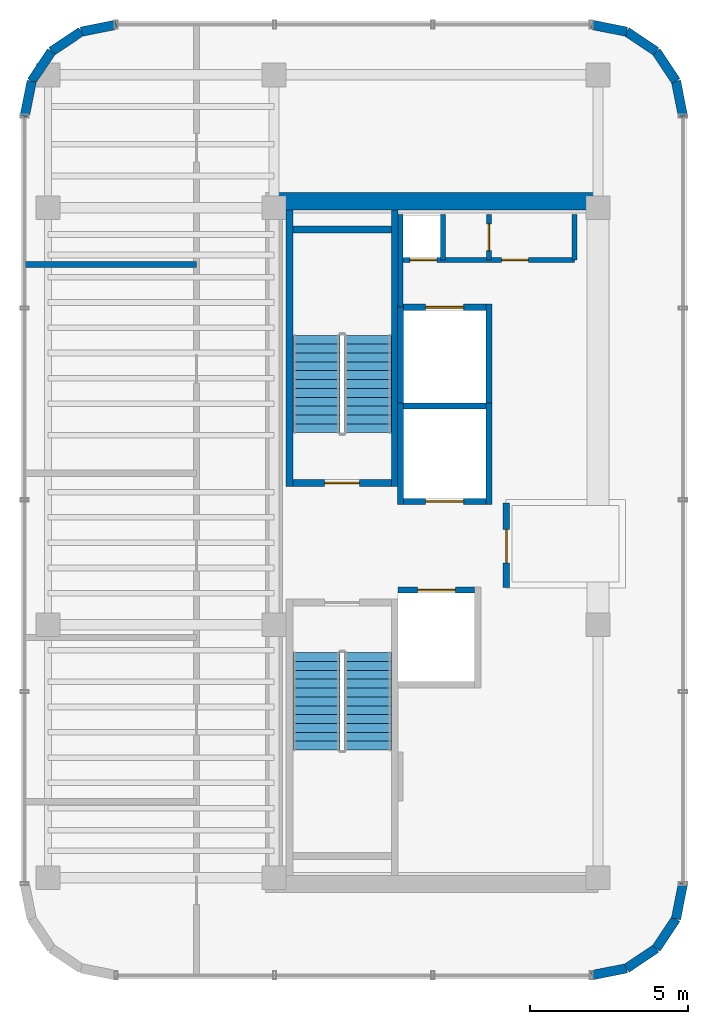
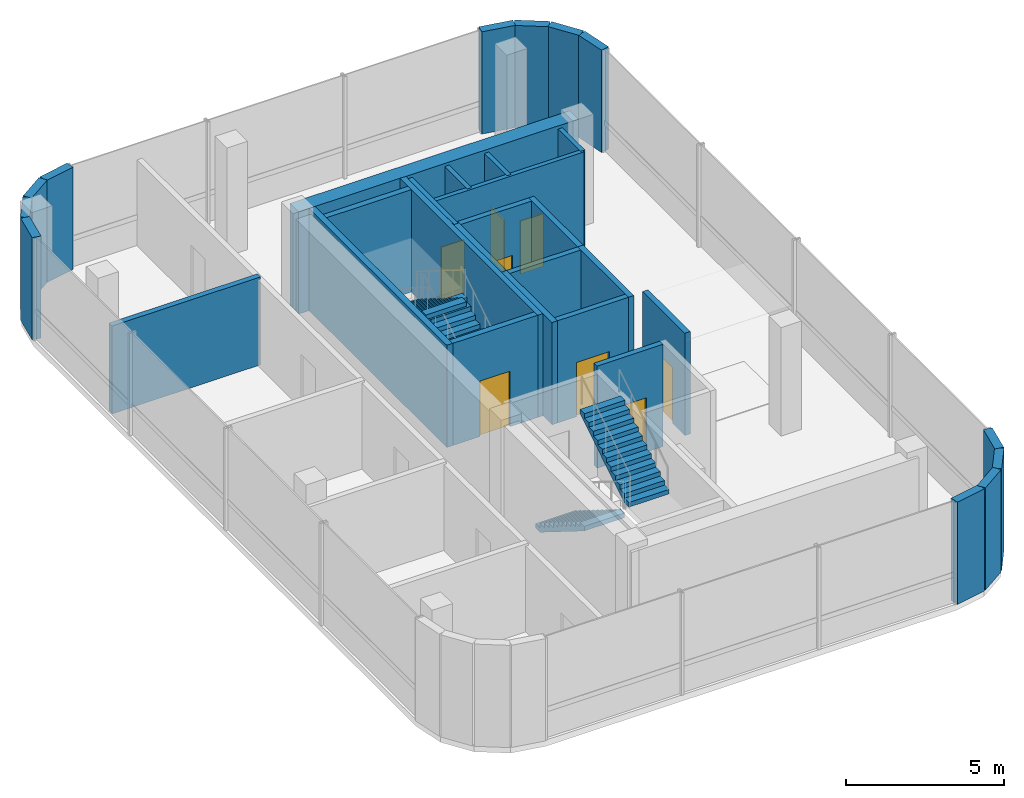
# One storey, part 10 of 11: 32 walls, 8 doors, 4 stair flights, 8 openings, 2 elements without a shape of their own.
"""IFC4 building model written with IfcOpenShell, lengths in metres."""

from ifc_helpers import new_model, si_unit, direction, frame, frame_2d, origin, place, context, subcontext, project, spatial, polyline, rectangle, outline, extrude, material, layer, layer_set, type_object, element, fill, aggregate, save


model = new_model("IFC4")

# Units and contexts
model_context = context("Model", 3, precision=1e-05, world=origin(), true_north=direction((0.0, 1.0)))
body_context = subcontext(model_context, "Body", "Model", "MODEL_VIEW")
ifc_project = project(units=[si_unit("LENGTHUNIT", "METRE"), si_unit("AREAUNIT", "SQUARE_METRE"), si_unit("VOLUMEUNIT", "CUBIC_METRE"), si_unit("PLANEANGLEUNIT", "RADIAN"), si_unit("MASSUNIT", "GRAM", prefix="KILO")], contexts=[model_context])

# Site, building, storey
site_placement = place(None, origin())
site = spatial("IfcSite", under=ifc_project, at=site_placement, CompositionType="ELEMENT")
building_placement = place(site_placement, origin())
building = spatial("IfcBuilding", under=site, at=building_placement, Name="Valdorenza Pilgrim Sanctuary Tower", CompositionType="ELEMENT")
storey_placement = place(building_placement, frame((0.0, 0.0, 299.39990234375)))
storey = spatial("IfcBuildingStorey", under=building, at=storey_placement, Name="L78", CompositionType="ELEMENT", Elevation=299.39990234375)

# Wall
ifc_material_1 = material(Name="Acoustic twin-stud gypsum partition", Category="gypsum")
ifc_layer_1 = layer(ifc_material_1, 0.159912109375, Name="Acoustic twin-stud gypsum partition")
ifc_layer_set_1 = layer_set([ifc_layer_1], Name="Acoustic twin-stud gypsum partition")
wall_type_1 = type_object("IfcWallType", Name="WAL-COR-160", PredefinedType="PARTITIONING", material=ifc_layer_set_1)
wall_1_placement = place(storey_placement, frame((-18.64990234375, 7.449951171875, 0.0), z_axis=(0.0, 0.0, 1.0), x_axis=(0.0, 1.0, 0.0)))
element("IfcWall", 1, at=wall_1_placement, inside=storey, type_object=wall_type_1, Name="L78 Core A North Service West Wall", PredefinedType="PARTITIONING", context=body_context, shape_type="SweptSolid", body=[
    extrude(rectangle(XDim=2.929931640625, YDim=0.159912109375, at=frame_2d((1.46484375, 0.0))), origin(), (0.0, 0.0, 1.0), 3.960205078125),
])

# Wall, openings, doors
wall_2_placement = place(storey_placement, frame((-18.64990234375, 8.949951171875, 0.0), z_axis=(0.0, 0.0, 1.0), x_axis=(1.0, 0.0, 0.0)))
wall_2 = element("IfcWall", 2, at=wall_2_placement, inside=storey, type_object=wall_type_1, Name="L78 Core A North Service South Wall", PredefinedType="PARTITIONING", context=body_context, shape_type="SweptSolid", body=[
    extrude(rectangle(XDim=5.5, YDim=0.159912109375, at=frame_2d((2.75, 0.0))), origin(), (0.0, 0.0, 1.0), 3.960205078125),
])
opening_1_placement = place(wall_2_placement, frame((0.300048828125, 0.0, 0.0)))
opening_1 = element("IfcOpeningElement", 3, at=opening_1_placement, cuts=wall_2, Name="Opening DR-RS1", PredefinedType="OPENING", context=body_context, shape_type="SweptSolid", body=[
    extrude(rectangle(XDim=0.85009765625, YDim=2.050048828125, at=frame_2d((0.425048828125, 1.02490234375))), frame((0.0, 0.0947265625, 0.0), z_axis=(0.0, -1.0, 0.0), x_axis=(1.0, 0.0, 0.0)), (0.0, 0.0, 1.0), 0.189697265625),
])
opening_2_placement = place(wall_2_placement, frame((3.199951171875, 0.0, 0.0)))
opening_2 = element("IfcOpeningElement", 4, at=opening_2_placement, cuts=wall_2, Name="Opening DR-RS1", PredefinedType="OPENING", context=body_context, shape_type="SweptSolid", body=[
    extrude(rectangle(XDim=0.85009765625, YDim=2.050048828125, at=frame_2d((0.425048828125, 1.02490234375))), frame((0.0, 0.0947265625, 0.0), z_axis=(0.0, -1.0, 0.0), x_axis=(1.0, 0.0, 0.0)), (0.0, 0.0, 1.0), 0.189697265625),
])
ifc_material_2 = material(Name="Painted galvanized steel", Category="steel")
door_type_1 = type_object("IfcDoorType", Name="DR-RSR-850", OperationType="NOTDEFINED", PredefinedType="DOOR", material=ifc_material_2)
door_1_placement = place(opening_1_placement, origin())
door_1 = element("IfcDoor", 5, at=door_1_placement, inside=storey, type_object=door_type_1, Name="L78 Core Electrical and Telecom Riser Door", OperationType="SINGLE_SWING_LEFT", OverallHeight=2.050048828125, OverallWidth=0.85009765625, PredefinedType="DOOR", context=body_context, shape_type="SweptSolid", body=[
    extrude(rectangle(XDim=0.85009765625, YDim=2.050048828125, at=frame_2d((0.425048828125, 1.02490234375))), frame((0.0, 0.02490234375, 0.0), z_axis=(0.0, -1.0, 0.0), x_axis=(1.0, 0.0, 0.0)), (0.0, 0.0, 1.0), 0.050048828125),
])
fill(opening_1, door_1)
door_2_placement = place(opening_2_placement, origin())
door_2 = element("IfcDoor", 6, at=door_2_placement, inside=storey, type_object=door_type_1, Name="L78 Core Janitor and Maintenance Store Door", OperationType="SINGLE_SWING_RIGHT", OverallHeight=2.050048828125, OverallWidth=0.85009765625, PredefinedType="DOOR", context=body_context, shape_type="SweptSolid", body=[
    extrude(rectangle(XDim=0.85009765625, YDim=2.050048828125, at=frame_2d((0.425048828125, 1.02490234375))), frame((0.0, 0.02490234375, 0.0), z_axis=(0.0, -1.0, 0.0), x_axis=(1.0, 0.0, 0.0)), (0.0, 0.0, 1.0), 0.050048828125),
])
fill(opening_2, door_2)

# Walls
for number, where, z_axis, x_axis, name in (
    (7, (-13.14990234375, 8.949951171875, 0.0), (0.0, 0.0, 1.0), (0.0, 1.0, 0.0), "L78 Core A North Service East Wall"),
    (8, (-17.300048828125, 8.949951171875, 0.0), (0.0, 0.0, 1.0), (0.0, 1.0, 0.0), "L78 Core Electrical Riser Wall"),
):
    element("IfcWall", number, at=place(storey_placement, frame(where, z_axis=z_axis, x_axis=x_axis)), inside=storey, type_object=wall_type_1, Name=name, PredefinedType="PARTITIONING", context=body_context, shape_type="SweptSolid", body=[
        extrude(rectangle(XDim=1.429931640625, YDim=0.159912109375, at=frame_2d((0.71484375, 0.0))), origin(), (0.0, 0.0, 1.0), 3.960205078125),
    ])

# Wall, opening, door
wall_3_placement = place(storey_placement, frame((-15.85009765625, 8.949951171875, 0.0), z_axis=(0.0, 0.0, 1.0), x_axis=(0.0, 1.0, 0.0)))
wall_3 = element("IfcWall", 9, at=wall_3_placement, inside=storey, type_object=wall_type_1, Name="L78 Core A Split C", PredefinedType="PARTITIONING", context=body_context, shape_type="SweptSolid", body=[
    extrude(rectangle(XDim=1.429931640625, YDim=0.159912109375, at=frame_2d((0.71484375, 0.0))), origin(), (0.0, 0.0, 1.0), 3.960205078125),
])
opening_3_placement = place(wall_3_placement, frame((0.2900390625, 0.0, 0.0)))
opening_3 = element("IfcOpeningElement", 10, at=opening_3_placement, cuts=wall_3, Name="Opening DR-RS1", PredefinedType="OPENING", context=body_context, shape_type="SweptSolid", body=[
    extrude(rectangle(XDim=0.85009765625, YDim=2.050048828125, at=frame_2d((0.425048828125, 1.02490234375))), frame((0.0, 0.0947265625, 0.0), z_axis=(0.0, -1.0, 0.0), x_axis=(1.0, 0.0, 0.0)), (0.0, 0.0, 1.0), 0.189697265625),
])
door_3_placement = place(opening_3_placement, origin())
door_3 = element("IfcDoor", 11, at=door_3_placement, inside=storey, type_object=door_type_1, Name="L78 Clean Linen Supply Store Door", OperationType="SINGLE_SWING_LEFT", OverallHeight=2.050048828125, OverallWidth=0.85009765625, PredefinedType="DOOR", context=body_context, shape_type="SweptSolid", body=[
    extrude(rectangle(XDim=0.85009765625, YDim=2.050048828125, at=frame_2d((0.425048828125, 1.02490234375))), frame((0.0, 0.02490234375, 0.0), z_axis=(0.0, -1.0, 0.0), x_axis=(1.0, 0.0, 0.0)), (0.0, 0.0, 1.0), 0.050048828125),
])
fill(opening_3, door_3)

# Walls
ifc_material_3 = material(Name="Concrete C50/60", Category="concrete")
ifc_layer_2 = layer(ifc_material_3, 0.550048828125, Name="Concrete C50/60")
ifc_layer_set_2 = layer_set([ifc_layer_2], Name="Concrete C50/60")
wall_type_2 = type_object("IfcWallType", Name="WAL-COR-550", PredefinedType="SHEAR", material=ifc_layer_set_2)
wall_4_placement = place(storey_placement, frame((-22.64990234375, 10.800048828125, 0.0), z_axis=(0.0, 0.0, 1.0), x_axis=(1.0, 0.0, 0.0)))
element("IfcWall", 12, at=wall_4_placement, inside=storey, type_object=wall_type_2, Name="L78 Split Core A Shear Wall N", PredefinedType="SHEAR", context=body_context, shape_type="SweptSolid", body=[
    extrude(rectangle(XDim=10.25, YDim=0.550048828125, at=frame_2d((5.125, 0.0))), origin(), (0.0, 0.0, 1.0), 3.960205078125),
])
ifc_material_4 = material(Name="Honed travertine limestone", Category="masonry")
ifc_layer_3 = layer(ifc_material_4, 0.300048828125, Name="Honed travertine limestone")
ifc_layer_set_3 = layer_set([ifc_layer_3], Name="Honed travertine limestone")
wall_type_3 = type_object("IfcWallType", Name="WAL-EXT-300", PredefinedType="SOLIDWALL", material=ifc_layer_set_3)
wall_5_placement = place(storey_placement, frame((-30.5400390625, 13.4892578125, 0.0), z_axis=(0.0, 0.0, 1.0), x_axis=(0.195043173023, 0.980794657743, 0.0)))
element("IfcWall", 13, at=wall_5_placement, inside=storey, type_object=wall_type_3, Name="L78 Rounded Wind-Corner Stone Pier 2", PredefinedType="SOLIDWALL", context=body_context, shape_type="SweptSolid", body=[
    extrude(rectangle(XDim=1.137939453125, YDim=0.300048828125, at=frame_2d((0.56884765625, 0.0))), origin(), (0.0, 0.0, 1.0), 3.960205078125),
])
for number, where, z_axis, x_axis, name in (
    (14, (-30.318115234375, 14.605224609375, 0.0), (0.0, 0.0, 1.0), (0.555749754081, 0.831349632128, 0.0), "L78 Rounded Wind-Corner Stone Pier 3"),
    (15, (-29.69189453125, 15.5419921875, 0.0), (0.0, 0.0, 1.0), (0.831449735491, 0.555599979619, 0.0), "L78 Rounded Wind-Corner Stone Pier 4"),
):
    element("IfcWall", number, at=place(storey_placement, frame(where, z_axis=z_axis, x_axis=x_axis)), inside=storey, type_object=wall_type_3, Name=name, PredefinedType="SOLIDWALL", context=body_context, shape_type="SweptSolid", body=[
        extrude(rectangle(XDim=1.126708984375, YDim=0.300048828125, at=frame_2d((0.5634765625, 0.0))), origin(), (0.0, 0.0, 1.0), 3.960205078125),
    ])
for number, where, z_axis, x_axis, name in (
    (16, (-28.755126953125, 16.16796875, 0.0), (0.0, 0.0, 1.0), (0.980794657743, 0.195043173023, 0.0), "L78 Rounded Wind-Corner Stone Pier 5"),
    (17, (-12.61083984375, 16.389892578125, 0.0), (0.0, 0.0, 1.0), (0.980794657743, -0.195043173023, 0.0), "L78 Rounded Wind-Corner Stone Pier 7"),
):
    element("IfcWall", number, at=place(storey_placement, frame(where, z_axis=z_axis, x_axis=x_axis)), inside=storey, type_object=wall_type_3, Name=name, PredefinedType="SOLIDWALL", context=body_context, shape_type="SweptSolid", body=[
        extrude(rectangle(XDim=1.137939453125, YDim=0.300048828125, at=frame_2d((0.56884765625, 0.0))), origin(), (0.0, 0.0, 1.0), 3.960205078125),
    ])
for number, where, z_axis, x_axis, name in (
    (18, (-11.494873046875, 16.16796875, 0.0), (0.0, 0.0, 1.0), (0.831449735491, -0.555599979619, 0.0), "L78 Rounded Wind-Corner Stone Pier 8"),
    (19, (-10.55810546875, 15.5419921875, 0.0), (0.0, 0.0, 1.0), (0.555749754081, -0.831349632128, 0.0), "L78 Rounded Wind-Corner Stone Pier 9"),
):
    element("IfcWall", number, at=place(storey_placement, frame(where, z_axis=z_axis, x_axis=x_axis)), inside=storey, type_object=wall_type_3, Name=name, PredefinedType="SOLIDWALL", context=body_context, shape_type="SweptSolid", body=[
        extrude(rectangle(XDim=1.126708984375, YDim=0.300048828125, at=frame_2d((0.5634765625, 0.0))), origin(), (0.0, 0.0, 1.0), 3.960205078125),
    ])
for number, where, z_axis, x_axis, name in (
    (20, (-9.931884765625, 14.605224609375, 0.0), (0.0, 0.0, 1.0), (0.195043173023, -0.980794657743, 0.0), "L78 Rounded Wind-Corner Stone Pier 10"),
    (21, (-9.7099609375, -10.789306640625, 0.0), (0.0, 0.0, 1.0), (-0.195043173023, -0.980794657743, 0.0), "L78 Rounded Wind-Corner Stone Pier 12"),
):
    element("IfcWall", number, at=place(storey_placement, frame(where, z_axis=z_axis, x_axis=x_axis)), inside=storey, type_object=wall_type_3, Name=name, PredefinedType="SOLIDWALL", context=body_context, shape_type="SweptSolid", body=[
        extrude(rectangle(XDim=1.137939453125, YDim=0.300048828125, at=frame_2d((0.56884765625, 0.0))), origin(), (0.0, 0.0, 1.0), 3.960205078125),
    ])
for number, where, z_axis, x_axis, name in (
    (22, (-9.931884765625, -11.9052734375, 0.0), (0.0, 0.0, 1.0), (-0.555749754081, -0.831349632128, 0.0), "L78 Rounded Wind-Corner Stone Pier 13"),
    (23, (-10.55810546875, -12.842041015625, 0.0), (0.0, 0.0, 1.0), (-0.831449735491, -0.555599979619, 0.0), "L78 Rounded Wind-Corner Stone Pier 14"),
):
    element("IfcWall", number, at=place(storey_placement, frame(where, z_axis=z_axis, x_axis=x_axis)), inside=storey, type_object=wall_type_3, Name=name, PredefinedType="SOLIDWALL", context=body_context, shape_type="SweptSolid", body=[
        extrude(rectangle(XDim=1.126708984375, YDim=0.300048828125, at=frame_2d((0.5634765625, 0.0))), origin(), (0.0, 0.0, 1.0), 3.960205078125),
    ])
wall_6_placement = place(storey_placement, frame((-11.494873046875, -13.468017578125, 0.0), z_axis=(0.0, 0.0, 1.0), x_axis=(-0.980794657743, -0.195043173023, 0.0)))
element("IfcWall", 24, at=wall_6_placement, inside=storey, type_object=wall_type_3, Name="L78 Rounded Wind-Corner Stone Pier 15", PredefinedType="SOLIDWALL", context=body_context, shape_type="SweptSolid", body=[
    extrude(rectangle(XDim=1.137939453125, YDim=0.300048828125, at=frame_2d((0.56884765625, 0.0))), origin(), (0.0, 0.0, 1.0), 3.960205078125),
])

# Wall, opening, door
ifc_material_5 = material(Name="Gypsum shaftwall partition", Category="gypsum")
ifc_layer_4 = layer(ifc_material_5, 0.199951171875, Name="Gypsum shaftwall partition")
ifc_layer_set_4 = layer_set([ifc_layer_4], Name="Gypsum shaftwall partition")
wall_type_4 = type_object("IfcWallType", Name="WAL-FFL-200", PredefinedType="PARTITIONING", material=ifc_layer_set_4)
wall_7_placement = place(storey_placement, frame((-15.300048828125, -1.419921875, 0.0), z_axis=(0.0, 0.0, 1.0), x_axis=(0.0, 1.0, 0.0)))
wall_7 = element("IfcWall", 25, at=wall_7_placement, inside=storey, type_object=wall_type_4, Name="L78 Core A Firefighting Lobby East Wall", PredefinedType="PARTITIONING", context=body_context, shape_type="SweptSolid", body=[
    extrude(rectangle(XDim=2.669921875, YDim=0.199951171875, at=frame_2d((1.3349609375, 0.0))), origin(), (0.0, 0.0, 1.0), 3.960205078125),
])
opening_4_placement = place(wall_7_placement, frame((0.780029296875, 0.0, 0.0)))
opening_4 = element("IfcOpeningElement", 26, at=opening_4_placement, cuts=wall_7, Name="Opening DR-FL1", PredefinedType="OPENING", context=body_context, shape_type="SweptSolid", body=[
    extrude(rectangle(XDim=1.050048828125, YDim=2.14990234375, at=frame_2d((0.52490234375, 1.074951171875))), frame((0.0, 0.11474609375, 0.0), z_axis=(0.0, -1.0, 0.0), x_axis=(1.0, 0.0, 0.0)), (0.0, 0.0, 1.0), 0.229736328125),
])
door_type_2 = type_object("IfcDoorType", Name="DR-FFL-1050", OperationType="NOTDEFINED", PredefinedType="DOOR", material=ifc_material_2)
door_4_placement = place(opening_4_placement, origin())
door_4 = element("IfcDoor", 27, at=door_4_placement, inside=storey, type_object=door_type_2, Name="L78 Core A Firefighting Lobby Door", OperationType="SINGLE_SWING_RIGHT", OverallHeight=2.14990234375, OverallWidth=1.050048828125, PredefinedType="DOOR", context=body_context, shape_type="SweptSolid", body=[
    extrude(rectangle(XDim=1.050048828125, YDim=2.14990234375, at=frame_2d((0.52490234375, 1.074951171875))), frame((0.0, 0.02490234375, 0.0), z_axis=(0.0, -1.0, 0.0), x_axis=(1.0, 0.0, 0.0)), (0.0, 0.0, 1.0), 0.050048828125),
])
fill(opening_4, door_4)

# Walls
wall_8_placement = place(storey_placement, frame((-30.5400390625, 8.800048828125, 0.0), z_axis=(0.0, 0.0, 1.0), x_axis=(1.0, 0.0, 0.0)))
element("IfcWall", 28, at=wall_8_placement, inside=storey, type_object=wall_type_4, Name="L78 L78 Plant Compartment Wall 4", PredefinedType="PARTITIONING", context=body_context, shape_type="SweptSolid", body=[
    extrude(rectangle(XDim=5.43994140625, YDim=0.199951171875, at=frame_2d((2.719970703125, 0.0))), origin(), (0.0, 0.0, 1.0), 3.406005859375),
])
ifc_material_6 = material(Name="Autoclaved aerated concrete blockwork", Category="masonry")
ifc_layer_5 = layer(ifc_material_6, 0.199951171875, Name="Autoclaved aerated concrete blockwork")
ifc_layer_set_5 = layer_set([ifc_layer_5], Name="Autoclaved aerated concrete blockwork")
wall_type_5 = type_object("IfcWallType", Name="WAL-SHF-200", PredefinedType="MOVABLE", material=ifc_layer_set_5)
for number, where, z_axis, x_axis, name in (
    (29, (-18.64990234375, 1.199951171875, 0.0), (0.0, 0.0, 1.0), (0.0, 1.0, 0.0), "L78 Lift FFL-01 Hoistway Wall West"),
    (30, (-15.85009765625, 1.199951171875, 0.0), (0.0, 0.0, 1.0), (0.0, 1.0, 0.0), "L78 Lift FFL-01 Hoistway Wall East"),
):
    element("IfcWall", number, at=place(storey_placement, frame(where, z_axis=z_axis, x_axis=x_axis)), inside=storey, type_object=wall_type_5, Name=name, PredefinedType="MOVABLE", context=body_context, shape_type="SweptSolid", body=[
        extrude(rectangle(XDim=3.22509765625, YDim=0.199951171875, at=frame_2d((1.612548828125, 0.0))), origin(), (0.0, 0.0, 1.0), 3.960205078125),
    ])

# Wall, opening, door
wall_9_placement = place(storey_placement, frame((-18.550048828125, 1.300048828125, 0.0), z_axis=(0.0, 0.0, 1.0), x_axis=(1.0, 0.0, 0.0)))
wall_9 = element("IfcWall", 31, at=wall_9_placement, inside=storey, type_object=wall_type_5, Name="L78 Lift FFL-01 Hoistway Wall South", PredefinedType="MOVABLE", context=body_context, shape_type="SweptSolid", body=[
    extrude(rectangle(XDim=2.60009765625, YDim=0.199951171875, at=frame_2d((1.300048828125, 0.0))), origin(), (0.0, 0.0, 1.0), 3.960205078125),
])
opening_5_placement = place(wall_9_placement, frame((0.699951171875, 0.0, 0.0)))
opening_5 = element("IfcOpeningElement", 32, at=opening_5_placement, cuts=wall_9, Name="Opening LD-02", PredefinedType="OPENING", context=body_context, shape_type="SweptSolid", body=[
    extrude(rectangle(XDim=1.199951171875, YDim=2.10009765625, at=frame_2d((0.60009765625, 1.050048828125))), frame((0.0, 0.11474609375, 0.0), z_axis=(0.0, -1.0, 0.0), x_axis=(1.0, 0.0, 0.0)), (0.0, 0.0, 1.0), 0.229736328125),
])
ifc_material_7 = material(Name="Brushed stainless steel Grade 316", Category="steel")
door_type_3 = type_object("IfcDoorType", Name="DR-LFT-1200", OperationType="DOUBLE_DOOR_SLIDING", PredefinedType="DOOR", material=ifc_material_7)
door_5_placement = place(opening_5_placement, origin())
door_5 = element("IfcDoor", 33, at=door_5_placement, inside=storey, type_object=door_type_3, Name="L78 Lift FFL-01 Sliding Landing Door", OperationType="DOUBLE_DOOR_SLIDING", OverallHeight=2.10009765625, OverallWidth=1.199951171875, PredefinedType="DOOR", context=body_context, shape_type="SweptSolid", body=[
    extrude(rectangle(XDim=1.199951171875, YDim=2.10009765625, at=frame_2d((0.60009765625, 1.050048828125))), frame((0.0, 0.02490234375, 0.0), z_axis=(0.0, -1.0, 0.0), x_axis=(1.0, 0.0, 0.0)), (0.0, 0.0, 1.0), 0.050048828125),
])
fill(opening_5, door_5)

# Wall
wall_10_placement = place(storey_placement, frame((-18.550048828125, 4.324951171875, 0.0), z_axis=(0.0, 0.0, 1.0), x_axis=(1.0, 0.0, 0.0)))
element("IfcWall", 34, at=wall_10_placement, inside=storey, type_object=wall_type_5, Name="L78 Lift FFL-01 Hoistway Wall North", PredefinedType="MOVABLE", context=body_context, shape_type="SweptSolid", body=[
    extrude(rectangle(XDim=2.60009765625, YDim=0.199951171875, at=frame_2d((1.300048828125, 0.0))), origin(), (0.0, 0.0, 1.0), 3.960205078125),
])

# Wall, opening, door
wall_11_placement = place(storey_placement, frame((-18.719970703125, -1.5, 0.0), z_axis=(0.0, 0.0, 1.0), x_axis=(1.0, 0.0, 0.0)))
wall_11 = element("IfcWall", 35, at=wall_11_placement, inside=storey, type_object=wall_type_5, Name="L78 Lift FFL-02 Hoistway Wall North", PredefinedType="MOVABLE", context=body_context, shape_type="SweptSolid", body=[
    extrude(rectangle(XDim=2.419921875, YDim=0.199951171875, at=frame_2d((1.2099609375, 0.0))), origin(), (0.0, 0.0, 1.0), 3.960205078125),
])
opening_6_placement = place(wall_11_placement, frame((0.610107421875, 0.0, 0.0)))
opening_6 = element("IfcOpeningElement", 36, at=opening_6_placement, cuts=wall_11, Name="Opening LD-02", PredefinedType="OPENING", context=body_context, shape_type="SweptSolid", body=[
    extrude(rectangle(XDim=1.199951171875, YDim=2.10009765625, at=frame_2d((0.60009765625, 1.050048828125))), frame((0.0, 0.11474609375, 0.0), z_axis=(0.0, -1.0, 0.0), x_axis=(1.0, 0.0, 0.0)), (0.0, 0.0, 1.0), 0.229736328125),
])
door_6_placement = place(opening_6_placement, origin())
door_6 = element("IfcDoor", 37, at=door_6_placement, inside=storey, type_object=door_type_3, Name="L78 Lift FFL-02 Sliding Landing Door", OperationType="DOUBLE_DOOR_SLIDING", OverallHeight=2.10009765625, OverallWidth=1.199951171875, PredefinedType="DOOR", context=body_context, shape_type="SweptSolid", body=[
    extrude(rectangle(XDim=1.199951171875, YDim=2.10009765625, at=frame_2d((0.60009765625, 1.050048828125))), frame((0.0, 0.02490234375, 0.0), z_axis=(0.0, -1.0, 0.0), x_axis=(1.0, 0.0, 0.0)), (0.0, 0.0, 1.0), 0.050048828125),
])
fill(opening_6, door_6)

# Walls
for number, where, z_axis, x_axis, name in (
    (38, (-18.64990234375, 4.22509765625, 0.0), (0.0, 0.0, 1.0), (0.0, 1.0, 0.0), "L78 Lift SVL-01 Hoistway Wall West"),
    (39, (-15.85009765625, 4.22509765625, 0.0), (0.0, 0.0, 1.0), (0.0, 1.0, 0.0), "L78 Lift SVL-01 Hoistway Wall East"),
):
    element("IfcWall", number, at=place(storey_placement, frame(where, z_axis=z_axis, x_axis=x_axis)), inside=storey, type_object=wall_type_5, Name=name, PredefinedType="MOVABLE", context=body_context, shape_type="SweptSolid", body=[
        extrude(rectangle(XDim=3.324951171875, YDim=0.199951171875, at=frame_2d((1.66259765625, 0.0))), origin(), (0.0, 0.0, 1.0), 3.960205078125),
    ])

# Wall, opening, door
wall_12_placement = place(storey_placement, frame((-18.550048828125, 7.449951171875, 0.0), z_axis=(0.0, 0.0, 1.0), x_axis=(1.0, 0.0, 0.0)))
wall_12 = element("IfcWall", 40, at=wall_12_placement, inside=storey, type_object=wall_type_5, Name="L78 Lift SVL-01 Hoistway Wall North", PredefinedType="MOVABLE", context=body_context, shape_type="SweptSolid", body=[
    extrude(rectangle(XDim=2.60009765625, YDim=0.199951171875, at=frame_2d((1.300048828125, 0.0))), origin(), (0.0, 0.0, 1.0), 3.960205078125),
])
opening_7_placement = place(wall_12_placement, frame((0.699951171875, 0.0, 0.0)))
opening_7 = element("IfcOpeningElement", 41, at=opening_7_placement, cuts=wall_12, Name="Opening LD-02", PredefinedType="OPENING", context=body_context, shape_type="SweptSolid", body=[
    extrude(rectangle(XDim=1.199951171875, YDim=2.10009765625, at=frame_2d((0.60009765625, 1.050048828125))), frame((0.0, 0.11474609375, 0.0), z_axis=(0.0, -1.0, 0.0), x_axis=(1.0, 0.0, 0.0)), (0.0, 0.0, 1.0), 0.229736328125),
])
door_7_placement = place(opening_7_placement, origin())
door_7 = element("IfcDoor", 42, at=door_7_placement, inside=storey, type_object=door_type_3, Name="L78 Lift SVL-01 Sliding Landing Door", OperationType="DOUBLE_DOOR_SLIDING", OverallHeight=2.10009765625, OverallWidth=1.199951171875, PredefinedType="DOOR", context=body_context, shape_type="SweptSolid", body=[
    extrude(rectangle(XDim=1.199951171875, YDim=2.10009765625, at=frame_2d((0.60009765625, 1.050048828125))), frame((0.0, 0.02490234375, 0.0), z_axis=(0.0, -1.0, 0.0), x_axis=(1.0, 0.0, 0.0)), (0.0, 0.0, 1.0), 0.050048828125),
])
fill(opening_7, door_7)

# Walls
ifc_material_8 = material(Name="Concrete C40/50", Category="concrete")
ifc_layer_6 = layer(ifc_material_8, 0.219970703125, Name="Concrete C40/50")
ifc_layer_set_6 = layer_set([ifc_layer_6], Name="Concrete C40/50")
wall_type_6 = type_object("IfcWallType", Name="WAL-STR-SHF-220", PredefinedType="SHEAR", material=ifc_layer_set_6)
for number, where, z_axis, x_axis, name in (
    (43, (-22.159912109375, 1.780029296875, 0.0), (0.0, 0.0, 1.0), (0.0, 1.0, 0.0), "L78 ST-A1 Structural Stairwell Wall W"),
    (44, (-18.830078125, 1.780029296875, 0.0), (0.0, 0.0, 1.0), (0.0, 1.0, 0.0), "L78 ST-A1 Structural Stairwell Wall E"),
):
    element("IfcWall", number, at=place(storey_placement, frame(where, z_axis=z_axis, x_axis=x_axis)), inside=storey, type_object=wall_type_6, Name=name, PredefinedType="SHEAR", context=body_context, shape_type="SweptSolid", body=[
        extrude(rectangle(XDim=8.744873046875, YDim=0.219970703125, at=frame_2d((4.37255859375, 0.0))), origin(), (0.0, 0.0, 1.0), 3.960205078125),
    ])

# Wall, opening, door
wall_13_placement = place(storey_placement, frame((-22.050048828125, 1.889892578125, 0.0), z_axis=(0.0, 0.0, 1.0), x_axis=(1.0, 0.0, 0.0)))
wall_13 = element("IfcWall", 45, at=wall_13_placement, inside=storey, type_object=wall_type_6, Name="L78 ST-A1 Structural Stairwell Wall S", PredefinedType="SHEAR", context=body_context, shape_type="SweptSolid", body=[
    extrude(rectangle(XDim=3.110107421875, YDim=0.219970703125, at=frame_2d((1.55517578125, 0.0))), origin(), (0.0, 0.0, 1.0), 3.960205078125),
])
opening_8_placement = place(wall_13_placement, frame((1.0, 0.0, 0.0)))
opening_8 = element("IfcOpeningElement", 46, at=opening_8_placement, cuts=wall_13, Name="Opening DR-ST1", PredefinedType="OPENING", context=body_context, shape_type="SweptSolid", body=[
    extrude(rectangle(XDim=1.10009765625, YDim=2.14990234375, at=frame_2d((0.550048828125, 1.074951171875))), frame((0.0, 0.125, 0.0), z_axis=(0.0, -1.0, 0.0), x_axis=(1.0, 0.0, 0.0)), (0.0, 0.0, 1.0), 0.249755859375),
])
door_type_4 = type_object("IfcDoorType", Name="DR-STAIR-1100", OperationType="NOTDEFINED", PredefinedType="DOOR", material=ifc_material_2)
door_8_placement = place(opening_8_placement, frame((1.10009765625, 0.0, 0.0), z_axis=(0.0, 0.0, 1.0), x_axis=(-1.0, 0.0, 0.0)))
door_8 = element("IfcDoor", 47, at=door_8_placement, inside=storey, type_object=door_type_4, Name="L78 Exit Stair ST-A1 Door", OperationType="SINGLE_SWING_LEFT", OverallHeight=2.14990234375, OverallWidth=1.10009765625, PredefinedType="DOOR", context=body_context, shape_type="SweptSolid", body=[
    extrude(rectangle(XDim=1.10009765625, YDim=2.14990234375, at=frame_2d((0.550048828125, 1.074951171875))), frame((0.0, 0.02490234375, 0.0), z_axis=(0.0, -1.0, 0.0), x_axis=(1.0, 0.0, 0.0)), (0.0, 0.0, 1.0), 0.050048828125),
])
fill(opening_8, door_8)

# Wall
wall_14_placement = place(storey_placement, frame((-22.050048828125, 9.909912109375, 0.0), z_axis=(0.0, 0.0, 1.0), x_axis=(1.0, 0.0, 0.0)))
element("IfcWall", 48, at=wall_14_placement, inside=storey, type_object=wall_type_6, Name="L78 ST-A1 Structural Stairwell Wall N", PredefinedType="SHEAR", context=body_context, shape_type="SweptSolid", body=[
    extrude(rectangle(XDim=3.110107421875, YDim=0.219970703125, at=frame_2d((1.55517578125, 0.0))), origin(), (0.0, 0.0, 1.0), 3.960205078125),
])

# Stair, stair flights
stair_type = type_object("IfcStairType", Name="STR-DOG-CORE", PredefinedType="HALF_TURN_STAIR", material=ifc_material_8)
stair_1_placement = place(storey_placement, origin())
stair_1 = element("IfcStair", 49, at=stair_1_placement, inside=storey, type_object=stair_type, Name="L78 ST-A1", PredefinedType="HALF_TURN_STAIR")
stair_flight_type = type_object("IfcStairFlightType", Name="STF-RC-1400", PredefinedType="STRAIGHT", material=ifc_material_8)
stair_flight_1_placement = place(storey_placement, frame((-19.679931640625, 3.47998046875, 0.0), z_axis=(0.0, 0.0, 1.0), x_axis=(0.0, 1.0, 0.0)))
stair_flight_1 = element("IfcStairFlight", 50, at=stair_flight_1_placement, type_object=stair_flight_type, Name="ST-A1 flight 1", NumberOfRisers=12, NumberOfTreads=11, PredefinedType="STRAIGHT", RiserHeight=0.175, TreadLength=0.28, context=body_context, shape_type="SweptSolid", body=[
    extrude(outline(polyline([(0.0, 0.0), (0.0, 0.175048828125), (0.280029296875, 0.175048828125), (0.280029296875, 0.35009765625), (0.56005859375, 0.35009765625), (0.56005859375, 0.52490234375), (0.840087890625, 0.52490234375), (0.840087890625, 0.699951171875), (1.1201171875, 0.699951171875), (1.1201171875, 0.875), (1.39990234375, 0.875), (1.39990234375, 1.050048828125), (1.679931640625, 1.050048828125), (1.679931640625, 1.22509765625), (1.9599609375, 1.22509765625), (1.9599609375, 1.39990234375), (2.239990234375, 1.39990234375), (2.239990234375, 1.574951171875), (2.52001953125, 1.574951171875), (2.52001953125, 1.75), (2.800048828125, 1.75), (2.800048828125, 1.925048828125), (3.080078125, 1.925048828125), (3.080078125, 2.10009765625), (3.080078125, 1.748291015625), (0.28271484375, 0.0), (0.0, 0.0)])), frame((0.0, 0.739990234375, 0.0), z_axis=(0.0, -1.0, 0.0), x_axis=(1.0, 0.0, 0.0)), (0.0, 0.0, 1.0), 1.47998046875),
])
stair_flight_2_placement = place(storey_placement, frame((-21.31005859375, 6.56005859375, 2.10009765625), z_axis=(0.0, 0.0, 1.0), x_axis=(0.0, -1.0, 0.0)))
stair_flight_2 = element("IfcStairFlight", 51, at=stair_flight_2_placement, type_object=stair_flight_type, Name="ST-A1 flight 2", NumberOfRisers=12, NumberOfTreads=11, PredefinedType="STRAIGHT", RiserHeight=0.175, TreadLength=0.28, context=body_context, shape_type="SweptSolid", body=[
    extrude(outline(polyline([(0.0, 0.0), (0.0, 0.175048828125), (0.280029296875, 0.175048828125), (0.280029296875, 0.35009765625), (0.56005859375, 0.35009765625), (0.56005859375, 0.52490234375), (0.840087890625, 0.52490234375), (0.840087890625, 0.699951171875), (1.1201171875, 0.699951171875), (1.1201171875, 0.875), (1.39990234375, 0.875), (1.39990234375, 1.050048828125), (1.679931640625, 1.050048828125), (1.679931640625, 1.22509765625), (1.9599609375, 1.22509765625), (1.9599609375, 1.39990234375), (2.239990234375, 1.39990234375), (2.239990234375, 1.574951171875), (2.52001953125, 1.574951171875), (2.52001953125, 1.75), (2.800048828125, 1.75), (2.800048828125, 1.925048828125), (3.080078125, 1.925048828125), (3.080078125, 2.10009765625), (3.080078125, 1.748291015625), (0.28271484375, 0.0), (0.0, 0.0)])), frame((0.0, 0.739990234375, 0.0), z_axis=(0.0, -1.0, 0.0), x_axis=(1.0, 0.0, 0.0)), (0.0, 0.0, 1.0), 1.47998046875),
])
aggregate(stair_1, [stair_flight_1, stair_flight_2])

stair_2_placement = place(storey_placement, origin())
stair_2 = element("IfcStair", 52, at=stair_2_placement, inside=storey, type_object=stair_type, Name="L78 ST-A2", PredefinedType="HALF_TURN_STAIR")
stair_flight_3_placement = place(storey_placement, frame((-21.31005859375, -3.47998046875, 0.0), z_axis=(0.0, 0.0, 1.0), x_axis=(0.0, -1.0, 0.0)))
stair_flight_3 = element("IfcStairFlight", 53, at=stair_flight_3_placement, type_object=stair_flight_type, Name="ST-A2 flight 1", NumberOfRisers=12, NumberOfTreads=11, PredefinedType="STRAIGHT", RiserHeight=0.175, TreadLength=0.28, context=body_context, shape_type="SweptSolid", body=[
    extrude(outline(polyline([(0.0, 0.0), (0.0, 0.175048828125), (0.280029296875, 0.175048828125), (0.280029296875, 0.35009765625), (0.56005859375, 0.35009765625), (0.56005859375, 0.52490234375), (0.840087890625, 0.52490234375), (0.840087890625, 0.699951171875), (1.1201171875, 0.699951171875), (1.1201171875, 0.875), (1.39990234375, 0.875), (1.39990234375, 1.050048828125), (1.679931640625, 1.050048828125), (1.679931640625, 1.22509765625), (1.9599609375, 1.22509765625), (1.9599609375, 1.39990234375), (2.239990234375, 1.39990234375), (2.239990234375, 1.574951171875), (2.52001953125, 1.574951171875), (2.52001953125, 1.75), (2.800048828125, 1.75), (2.800048828125, 1.925048828125), (3.080078125, 1.925048828125), (3.080078125, 2.10009765625), (3.080078125, 1.748291015625), (0.28271484375, 0.0), (0.0, 0.0)])), frame((0.0, 0.739990234375, 0.0), z_axis=(0.0, -1.0, 0.0), x_axis=(1.0, 0.0, 0.0)), (0.0, 0.0, 1.0), 1.47998046875),
])
stair_flight_4_placement = place(storey_placement, frame((-19.679931640625, -6.56005859375, 2.10009765625), z_axis=(0.0, 0.0, 1.0), x_axis=(0.0, 1.0, 0.0)))
stair_flight_4 = element("IfcStairFlight", 54, at=stair_flight_4_placement, type_object=stair_flight_type, Name="ST-A2 flight 2", NumberOfRisers=12, NumberOfTreads=11, PredefinedType="STRAIGHT", RiserHeight=0.175, TreadLength=0.28, context=body_context, shape_type="SweptSolid", body=[
    extrude(outline(polyline([(0.0, 0.0), (0.0, 0.175048828125), (0.280029296875, 0.175048828125), (0.280029296875, 0.35009765625), (0.56005859375, 0.35009765625), (0.56005859375, 0.52490234375), (0.840087890625, 0.52490234375), (0.840087890625, 0.699951171875), (1.1201171875, 0.699951171875), (1.1201171875, 0.875), (1.39990234375, 0.875), (1.39990234375, 1.050048828125), (1.679931640625, 1.050048828125), (1.679931640625, 1.22509765625), (1.9599609375, 1.22509765625), (1.9599609375, 1.39990234375), (2.239990234375, 1.39990234375), (2.239990234375, 1.574951171875), (2.52001953125, 1.574951171875), (2.52001953125, 1.75), (2.800048828125, 1.75), (2.800048828125, 1.925048828125), (3.080078125, 1.925048828125), (3.080078125, 2.10009765625), (3.080078125, 1.748291015625), (0.28271484375, 0.0), (0.0, 0.0)])), frame((0.0, 0.739990234375, 0.0), z_axis=(0.0, -1.0, 0.0), x_axis=(1.0, 0.0, 0.0)), (0.0, 0.0, 1.0), 1.47998046875),
])
aggregate(stair_2, [stair_flight_3, stair_flight_4])

save(model, "model.ifc")
